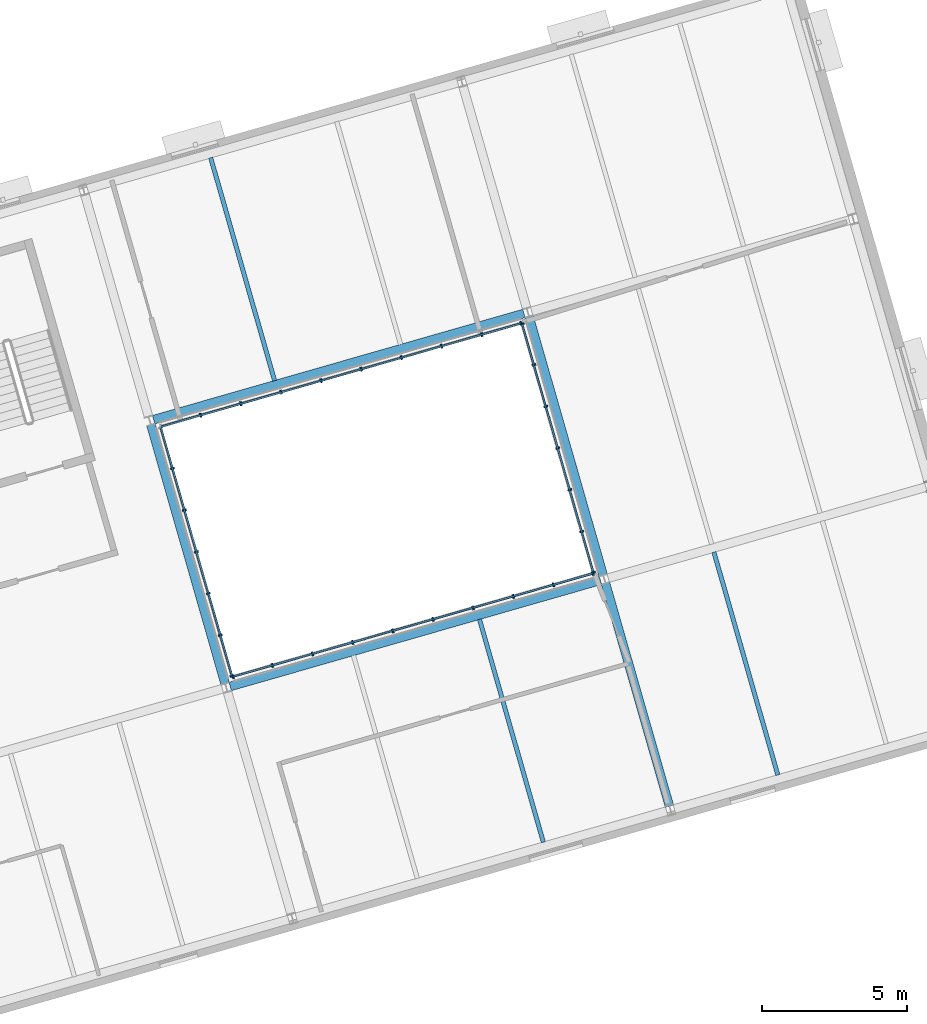
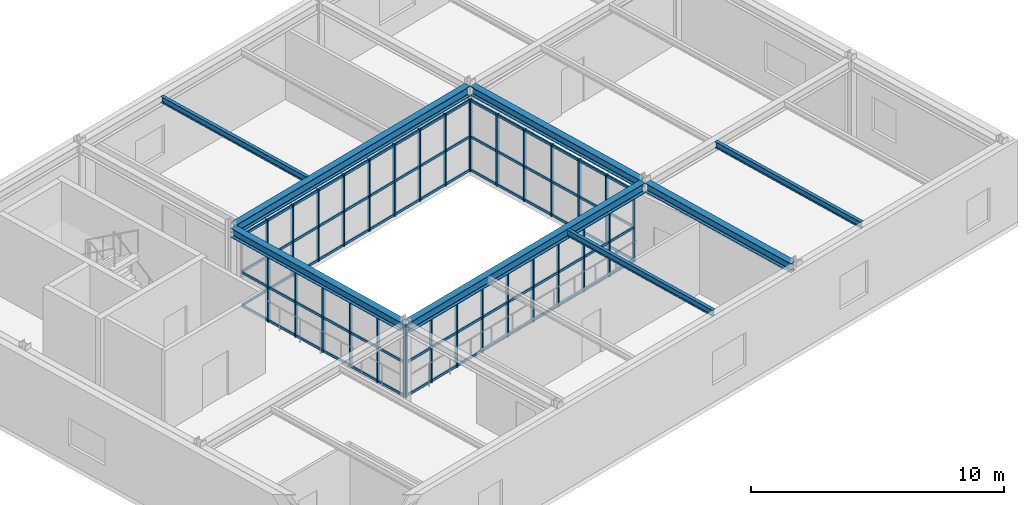
# One storey, part 25 of 59: 44 members, 8 beams, 4 elements without a shape of their own.
"""IFC4 building model written with IfcOpenShell, lengths in metres."""

from ifc_helpers import new_model, si_unit, direction, frame, origin, origin_2d, place, context, subcontext, project, spatial, rectangle, i_section, extrude, material, material_profile, profile_set, type_object, element, aggregate, save


model = new_model("IFC4")

# Units and contexts
model_context = context("Model", 3, precision=1e-05, world=origin(), true_north=direction((0.0, 1.0)))
body_context = subcontext(model_context, "Body", "Model", "MODEL_VIEW")
ifc_project = project(units=[si_unit("LENGTHUNIT", "METRE"), si_unit("AREAUNIT", "SQUARE_METRE"), si_unit("VOLUMEUNIT", "CUBIC_METRE"), si_unit("PLANEANGLEUNIT", "RADIAN"), si_unit("MASSUNIT", "GRAM", prefix="KILO")], contexts=[model_context])

# Site, building, storey
site_placement = place(None, origin())
site = spatial("IfcSite", under=ifc_project, at=site_placement, CompositionType="ELEMENT")
building_placement = place(site_placement, origin())
building = spatial("IfcBuilding", under=site, at=building_placement, Name="Varnklinge Art Gallery", CompositionType="ELEMENT")
storey_placement = place(building_placement, frame((0.0, 0.0, 9.52001953125)))
storey = spatial("IfcBuildingStorey", under=building, at=storey_placement, Name="L02", CompositionType="ELEMENT", Elevation=9.52001953125)

# Beams
ifc_material_1 = material(Name="Steel S355", Category="steel")
ifc_material_profile_1 = material_profile(ifc_material_1, i_section(OverallWidth=0.300048828125, OverallDepth=0.489990234375, WebThickness=0.011962890625, FlangeThickness=0.02294921875, FilletRadius=0.027099609375, at=origin_2d()), Name="HEA 500")
ifc_profile_set_1 = profile_set([ifc_material_profile_1], Name="Steel S355")
beam_type_1 = type_object("IfcBeamType", Name="BM-07", PredefinedType="BEAM", material=ifc_profile_set_1)
for number, where, z_axis, x_axis, name in (
    (1, (133.921142578125, 21.05029296875, 3.675048828125), (0.961263452766, 0.275631228958, 0.0), (-0.275631228958, 0.961263452766, 0.0), "L02 BM-07 BM-V6-L03-U1-1"),
    (2, (131.27490234375, 30.2783203125, 3.675048828125), (0.961263452766, 0.275631228958, 0.0), (-0.275631228958, 0.961263452766, 0.0), "L02 BM-07 BM-V6-L03-U2-1"),
):
    element("IfcBeam", number, at=place(storey_placement, frame(where, z_axis=z_axis, x_axis=x_axis)), inside=storey, type_object=beam_type_1, Name=name, PredefinedType="BEAM", context=body_context, shape_type="SweptSolid", body=[
        extrude(i_section(OverallWidth=0.300048828125, OverallDepth=0.489990234375, WebThickness=0.011962890625, FlangeThickness=0.02294921875, FilletRadius=0.027099609375, at=origin_2d()), origin(), (0.0, 0.0, 1.0), 13.31982421875),
    ])
ifc_material_2 = material(Name="Steel S355", Category="steel")
ifc_material_profile_2 = material_profile(ifc_material_2, i_section(OverallWidth=0.300048828125, OverallDepth=0.43994140625, WebThickness=0.011474609375, FlangeThickness=0.02099609375, FilletRadius=0.027099609375, at=origin_2d()), Name="HEA 450")
ifc_profile_set_2 = profile_set([ifc_material_profile_2], Name="Steel S355")
beam_type_2 = type_object("IfcBeamType", Name="BM-08", PredefinedType="BEAM", material=ifc_profile_set_2)
beam_1_placement = place(storey_placement, frame((133.747802734375, 21.146240234375, 3.699951171875), z_axis=(-0.275634404399, 0.961262542239, 0.0), x_axis=(-0.961262542239, -0.275634404399, 0.0)))
element("IfcBeam", 3, at=beam_1_placement, inside=storey, type_object=beam_type_2, Name="L02 BM-08 BM-V6-L03-V1-1", PredefinedType="BEAM", context=body_context, shape_type="SweptSolid", body=[
    extrude(i_section(OverallWidth=0.300048828125, OverallDepth=0.43994140625, WebThickness=0.011474609375, FlangeThickness=0.02099609375, FilletRadius=0.027099609375, at=origin_2d()), origin(), (0.0, 0.0, 1.0), 9.31982421875),
])
beam_2_placement = place(storey_placement, frame((149.10888671875, 16.91650390625, 3.699951171875), z_axis=(-0.275649759333, 0.961258139201, 0.0), x_axis=(-0.961258139201, -0.275649759333, 0.0)))
element("IfcBeam", 4, at=beam_2_placement, inside=storey, type_object=beam_type_2, Name="L02 BM-08 BM-V6-L03-V2-0", PredefinedType="BEAM", context=body_context, shape_type="SweptSolid", body=[
    extrude(i_section(OverallWidth=0.300048828125, OverallDepth=0.43994140625, WebThickness=0.011474609375, FlangeThickness=0.02099609375, FilletRadius=0.027099609375, at=origin_2d()), origin(), (0.0, 0.0, 1.0), 8.02001953125),
])
beam_3_placement = place(storey_placement, frame((146.821044921875, 24.89501953125, 3.699951171875), z_axis=(-0.275634404399, 0.961262542239, 0.0), x_axis=(-0.961262542239, -0.275634404399, 0.0)))
element("IfcBeam", 5, at=beam_3_placement, inside=storey, type_object=beam_type_2, Name="L02 BM-08 BM-V6-L03-V2-1", PredefinedType="BEAM", context=body_context, shape_type="SweptSolid", body=[
    extrude(i_section(OverallWidth=0.300048828125, OverallDepth=0.43994140625, WebThickness=0.011474609375, FlangeThickness=0.02099609375, FilletRadius=0.027099609375, at=origin_2d()), origin(), (0.0, 0.0, 1.0), 9.31982421875),
])
ifc_material_3 = material(Name="Steel S355", Category="steel")
ifc_material_profile_3 = material_profile(ifc_material_3, i_section(OverallWidth=0.14990234375, OverallDepth=0.300048828125, WebThickness=0.007080078125, FlangeThickness=0.0107421875, FilletRadius=0.014892578125, at=origin_2d()), Name="IPE 300")
ifc_profile_set_3 = profile_set([ifc_material_profile_3], Name="Steel S355")
beam_type_3 = type_object("IfcBeamType", Name="JST-08", PredefinedType="JOIST", material=ifc_profile_set_3)
for number, where, z_axis, x_axis, name in (
    (6, (144.751220703125, 15.666748046875, 3.77001953125), (-0.2756416934, 0.961260452146, 0.0), (-0.961260452146, -0.2756416934, 0.0), "L02 JST-08 JST-V6-L03-1-0-2"),
    (7, (135.45947265625, 31.623779296875, 3.77001953125), (-0.2756416934, 0.961260452146, 0.0), (-0.961260452146, -0.2756416934, 0.0), "L02 JST-08 JST-V6-L03-1-2-1"),
):
    element("IfcBeam", number, at=place(storey_placement, frame(where, z_axis=z_axis, x_axis=x_axis)), inside=storey, type_object=beam_type_3, Name=name, PredefinedType="JOIST", context=body_context, shape_type="SweptSolid", body=[
        extrude(i_section(OverallWidth=0.14990234375, OverallDepth=0.300048828125, WebThickness=0.007080078125, FlangeThickness=0.0107421875, FilletRadius=0.014892578125, at=origin_2d()), origin(), (0.0, 0.0, 1.0), 8.020263671875),
    ])
beam_4_placement = place(storey_placement, frame((152.857666015625, 17.991455078125, 3.77001953125), z_axis=(-0.275621630307, 0.961266205016, 0.0), x_axis=(-0.961266205016, -0.275621630307, 0.0)))
element("IfcBeam", 8, at=beam_4_placement, inside=storey, type_object=beam_type_3, Name="L02 JST-08 JST-V6-L03-2-0-1", PredefinedType="JOIST", context=body_context, shape_type="SweptSolid", body=[
    extrude(i_section(OverallWidth=0.14990234375, OverallDepth=0.300048828125, WebThickness=0.007080078125, FlangeThickness=0.0107421875, FilletRadius=0.014892578125, at=origin_2d()), origin(), (0.0, 0.0, 1.0), 8.019775390625),
])

# Curtain wall, members
ifc_material_4 = material(Name="Anodised Aluminium", Category="aluminium")
curtain_wall_type = type_object("IfcCurtainWallType", Name="CW-C03", PredefinedType="USERDEFINED", material=ifc_material_4)
curtain_wall_1_placement = place(storey_placement, origin())
curtain_wall_1 = element("IfcCurtainWall", 9, at=curtain_wall_1_placement, inside=storey, type_object=curtain_wall_type, Name="L02 Curtain Wall CW-V6C-L02-1", ObjectType="UNITISED CURTAIN WALL", PredefinedType="USERDEFINED")
ifc_material_5 = material(Name="Anodised Aluminium", Category="aluminium")
ifc_material_profile_4 = material_profile(ifc_material_5, rectangle(XDim=0.06005859375, YDim=0.139892578125, at=origin_2d()), Name="ALU 60x140")
ifc_profile_set_4 = profile_set([ifc_material_profile_4], Name="Anodised Aluminium")
member_type_1 = type_object("IfcMemberType", Name="MUL-03", PredefinedType="MULLION", material=ifc_profile_set_4)
member_1_placement = place(storey_placement, frame((146.459716796875, 24.957763671875, 0.0), z_axis=(0.0, 0.0, 1.0), x_axis=(-0.961261695938, -0.275637355817, 0.0)))
member_1 = element("IfcMember", 10, at=member_1_placement, type_object=member_type_1, Name="CW-V6C-L02-1 Mullion 1", PredefinedType="MULLION", context=body_context, shape_type="SweptSolid", body=[
    extrude(rectangle(XDim=0.06005859375, YDim=0.139892578125, at=origin_2d()), origin(), (0.0, 0.0, 1.0), 3.469970703125),
])
member_2_placement = place(storey_placement, frame((145.10009765625, 24.56787109375, 0.0), z_axis=(0.0, 0.0, 1.0), x_axis=(-0.961261695938, -0.275637355817, 0.0)))
member_2 = element("IfcMember", 11, at=member_2_placement, type_object=member_type_1, Name="CW-V6C-L02-1 Mullion 2", PredefinedType="MULLION", context=body_context, shape_type="SweptSolid", body=[
    extrude(rectangle(XDim=0.06005859375, YDim=0.139892578125, at=origin_2d()), origin(), (0.0, 0.0, 1.0), 3.469970703125),
])
member_3_placement = place(storey_placement, frame((143.711669921875, 24.169677734375, 0.0), z_axis=(0.0, 0.0, 1.0), x_axis=(-0.961261695938, -0.275637355817, 0.0)))
member_3 = element("IfcMember", 12, at=member_3_placement, type_object=member_type_1, Name="CW-V6C-L02-1 Mullion 3", PredefinedType="MULLION", context=body_context, shape_type="SweptSolid", body=[
    extrude(rectangle(XDim=0.06005859375, YDim=0.139892578125, at=origin_2d()), origin(), (0.0, 0.0, 1.0), 3.469970703125),
])
member_4_placement = place(storey_placement, frame((142.322998046875, 23.771484375, 0.0), z_axis=(0.0, 0.0, 1.0), x_axis=(-0.961261695938, -0.275637355817, 0.0)))
member_4 = element("IfcMember", 13, at=member_4_placement, type_object=member_type_1, Name="CW-V6C-L02-1 Mullion 4", PredefinedType="MULLION", context=body_context, shape_type="SweptSolid", body=[
    extrude(rectangle(XDim=0.06005859375, YDim=0.139892578125, at=origin_2d()), origin(), (0.0, 0.0, 1.0), 3.469970703125),
])
member_5_placement = place(storey_placement, frame((140.9345703125, 23.373291015625, 0.0), z_axis=(0.0, 0.0, 1.0), x_axis=(-0.961261695938, -0.275637355817, 0.0)))
member_5 = element("IfcMember", 14, at=member_5_placement, type_object=member_type_1, Name="CW-V6C-L02-1 Mullion 5", PredefinedType="MULLION", context=body_context, shape_type="SweptSolid", body=[
    extrude(rectangle(XDim=0.06005859375, YDim=0.139892578125, at=origin_2d()), origin(), (0.0, 0.0, 1.0), 3.469970703125),
])
member_6_placement = place(storey_placement, frame((139.546142578125, 22.975341796875, 0.0), z_axis=(0.0, 0.0, 1.0), x_axis=(-0.961261695938, -0.275637355817, 0.0)))
member_6 = element("IfcMember", 15, at=member_6_placement, type_object=member_type_1, Name="CW-V6C-L02-1 Mullion 6", PredefinedType="MULLION", context=body_context, shape_type="SweptSolid", body=[
    extrude(rectangle(XDim=0.06005859375, YDim=0.139892578125, at=origin_2d()), origin(), (0.0, 0.0, 1.0), 3.469970703125),
])
member_7_placement = place(storey_placement, frame((138.15771484375, 22.5771484375, 0.0), z_axis=(0.0, 0.0, 1.0), x_axis=(-0.961261695938, -0.275637355817, 0.0)))
member_7 = element("IfcMember", 16, at=member_7_placement, type_object=member_type_1, Name="CW-V6C-L02-1 Mullion 7", PredefinedType="MULLION", context=body_context, shape_type="SweptSolid", body=[
    extrude(rectangle(XDim=0.06005859375, YDim=0.139892578125, at=origin_2d()), origin(), (0.0, 0.0, 1.0), 3.469970703125),
])
member_8_placement = place(storey_placement, frame((136.769287109375, 22.178955078125, 0.0), z_axis=(0.0, 0.0, 1.0), x_axis=(-0.961261695938, -0.275637355817, 0.0)))
member_8 = element("IfcMember", 17, at=member_8_placement, type_object=member_type_1, Name="CW-V6C-L02-1 Mullion 8", PredefinedType="MULLION", context=body_context, shape_type="SweptSolid", body=[
    extrude(rectangle(XDim=0.06005859375, YDim=0.139892578125, at=origin_2d()), origin(), (0.0, 0.0, 1.0), 3.469970703125),
])
member_9_placement = place(storey_placement, frame((135.380615234375, 21.78076171875, 0.0), z_axis=(0.0, 0.0, 1.0), x_axis=(-0.961261695938, -0.275637355817, 0.0)))
member_9 = element("IfcMember", 18, at=member_9_placement, type_object=member_type_1, Name="CW-V6C-L02-1 Mullion 9", PredefinedType="MULLION", context=body_context, shape_type="SweptSolid", body=[
    extrude(rectangle(XDim=0.06005859375, YDim=0.139892578125, at=origin_2d()), origin(), (0.0, 0.0, 1.0), 3.469970703125),
])
member_10_placement = place(storey_placement, frame((134.02099609375, 21.39111328125, 0.0), z_axis=(0.0, 0.0, 1.0), x_axis=(-0.961261695938, -0.275637355817, 0.0)))
member_10 = element("IfcMember", 19, at=member_10_placement, type_object=member_type_1, Name="CW-V6C-L02-1 Mullion 10", PredefinedType="MULLION", context=body_context, shape_type="SweptSolid", body=[
    extrude(rectangle(XDim=0.06005859375, YDim=0.139892578125, at=origin_2d()), origin(), (0.0, 0.0, 1.0), 3.469970703125),
])

curtain_wall_2_placement = place(storey_placement, origin())
curtain_wall_2 = element("IfcCurtainWall", 20, at=curtain_wall_2_placement, inside=storey, type_object=curtain_wall_type, Name="L02 Curtain Wall CW-V6C-L02-2", ObjectType="UNITISED CURTAIN WALL", PredefinedType="USERDEFINED")
member_11_placement = place(storey_placement, frame((144.01611328125, 33.58837890625, 0.0), z_axis=(0.0, 0.0, 1.0), x_axis=(0.275637355817, -0.961261695938, 0.0)))
member_11 = element("IfcMember", 21, at=member_11_placement, type_object=member_type_1, Name="CW-V6C-L02-2 Mullion 1", PredefinedType="MULLION", context=body_context, shape_type="SweptSolid", body=[
    extrude(rectangle(XDim=0.06005859375, YDim=0.139892578125, at=origin_2d()), origin(), (0.0, 0.0, 1.0), 3.469970703125),
])
member_12_placement = place(storey_placement, frame((144.42138671875, 32.17529296875, 0.0), z_axis=(0.0, 0.0, 1.0), x_axis=(0.275637355817, -0.961261695938, 0.0)))
member_12 = element("IfcMember", 22, at=member_12_placement, type_object=member_type_1, Name="CW-V6C-L02-2 Mullion 2", PredefinedType="MULLION", context=body_context, shape_type="SweptSolid", body=[
    extrude(rectangle(XDim=0.06005859375, YDim=0.139892578125, at=origin_2d()), origin(), (0.0, 0.0, 1.0), 3.469970703125),
])
member_13_placement = place(storey_placement, frame((144.834716796875, 30.7333984375, 0.0), z_axis=(0.0, 0.0, 1.0), x_axis=(0.275637355817, -0.961261695938, 0.0)))
member_13 = element("IfcMember", 23, at=member_13_placement, type_object=member_type_1, Name="CW-V6C-L02-2 Mullion 3", PredefinedType="MULLION", context=body_context, shape_type="SweptSolid", body=[
    extrude(rectangle(XDim=0.06005859375, YDim=0.139892578125, at=origin_2d()), origin(), (0.0, 0.0, 1.0), 3.469970703125),
])
member_14_placement = place(storey_placement, frame((145.248291015625, 29.291748046875, 0.0), z_axis=(0.0, 0.0, 1.0), x_axis=(0.275637355817, -0.961261695938, 0.0)))
member_14 = element("IfcMember", 24, at=member_14_placement, type_object=member_type_1, Name="CW-V6C-L02-2 Mullion 4", PredefinedType="MULLION", context=body_context, shape_type="SweptSolid", body=[
    extrude(rectangle(XDim=0.06005859375, YDim=0.139892578125, at=origin_2d()), origin(), (0.0, 0.0, 1.0), 3.469970703125),
])
member_15_placement = place(storey_placement, frame((145.66162109375, 27.849853515625, 0.0), z_axis=(0.0, 0.0, 1.0), x_axis=(0.275637355817, -0.961261695938, 0.0)))
member_15 = element("IfcMember", 25, at=member_15_placement, type_object=member_type_1, Name="CW-V6C-L02-2 Mullion 5", PredefinedType="MULLION", context=body_context, shape_type="SweptSolid", body=[
    extrude(rectangle(XDim=0.06005859375, YDim=0.139892578125, at=origin_2d()), origin(), (0.0, 0.0, 1.0), 3.469970703125),
])
member_16_placement = place(storey_placement, frame((146.0751953125, 26.407958984375, 0.0), z_axis=(0.0, 0.0, 1.0), x_axis=(0.275637355817, -0.961261695938, 0.0)))
member_16 = element("IfcMember", 26, at=member_16_placement, type_object=member_type_1, Name="CW-V6C-L02-2 Mullion 6", PredefinedType="MULLION", context=body_context, shape_type="SweptSolid", body=[
    extrude(rectangle(XDim=0.06005859375, YDim=0.139892578125, at=origin_2d()), origin(), (0.0, 0.0, 1.0), 3.469970703125),
])
member_17_placement = place(storey_placement, frame((146.480224609375, 24.994873046875, 0.0), z_axis=(0.0, 0.0, 1.0), x_axis=(0.275637355817, -0.961261695938, 0.0)))
member_17 = element("IfcMember", 27, at=member_17_placement, type_object=member_type_1, Name="CW-V6C-L02-2 Mullion 7", PredefinedType="MULLION", context=body_context, shape_type="SweptSolid", body=[
    extrude(rectangle(XDim=0.06005859375, YDim=0.139892578125, at=origin_2d()), origin(), (0.0, 0.0, 1.0), 3.469970703125),
])

curtain_wall_3_placement = place(storey_placement, origin())
curtain_wall_3 = element("IfcCurtainWall", 28, at=curtain_wall_3_placement, inside=storey, type_object=curtain_wall_type, Name="L02 Curtain Wall CW-V6C-L02-3", ObjectType="UNITISED CURTAIN WALL", PredefinedType="USERDEFINED")
member_18_placement = place(storey_placement, frame((132.89990234375, 30.43212890625, 0.0), z_axis=(0.0, 0.0, 1.0), x_axis=(0.961261695938, 0.275637355817, 0.0)))
member_18 = element("IfcMember", 29, at=member_18_placement, type_object=member_type_1, Name="CW-V6C-L02-3 Mullion 2", PredefinedType="MULLION", context=body_context, shape_type="SweptSolid", body=[
    extrude(rectangle(XDim=0.06005859375, YDim=0.139892578125, at=origin_2d()), origin(), (0.0, 0.0, 1.0), 3.469970703125),
])
member_19_placement = place(storey_placement, frame((134.288330078125, 30.830322265625, 0.0), z_axis=(0.0, 0.0, 1.0), x_axis=(0.961261695938, 0.275637355817, 0.0)))
member_19 = element("IfcMember", 30, at=member_19_placement, type_object=member_type_1, Name="CW-V6C-L02-3 Mullion 3", PredefinedType="MULLION", context=body_context, shape_type="SweptSolid", body=[
    extrude(rectangle(XDim=0.06005859375, YDim=0.139892578125, at=origin_2d()), origin(), (0.0, 0.0, 1.0), 3.469970703125),
])
member_20_placement = place(storey_placement, frame((135.677001953125, 31.228515625, 0.0), z_axis=(0.0, 0.0, 1.0), x_axis=(0.961261695938, 0.275637355817, 0.0)))
member_20 = element("IfcMember", 31, at=member_20_placement, type_object=member_type_1, Name="CW-V6C-L02-3 Mullion 4", PredefinedType="MULLION", context=body_context, shape_type="SweptSolid", body=[
    extrude(rectangle(XDim=0.06005859375, YDim=0.139892578125, at=origin_2d()), origin(), (0.0, 0.0, 1.0), 3.469970703125),
])
member_21_placement = place(storey_placement, frame((137.0654296875, 31.626708984375, 0.0), z_axis=(0.0, 0.0, 1.0), x_axis=(0.961261695938, 0.275637355817, 0.0)))
member_21 = element("IfcMember", 32, at=member_21_placement, type_object=member_type_1, Name="CW-V6C-L02-3 Mullion 5", PredefinedType="MULLION", context=body_context, shape_type="SweptSolid", body=[
    extrude(rectangle(XDim=0.06005859375, YDim=0.139892578125, at=origin_2d()), origin(), (0.0, 0.0, 1.0), 3.469970703125),
])
member_22_placement = place(storey_placement, frame((138.453857421875, 32.024658203125, 0.0), z_axis=(0.0, 0.0, 1.0), x_axis=(0.961261695938, 0.275637355817, 0.0)))
member_22 = element("IfcMember", 33, at=member_22_placement, type_object=member_type_1, Name="CW-V6C-L02-3 Mullion 6", PredefinedType="MULLION", context=body_context, shape_type="SweptSolid", body=[
    extrude(rectangle(XDim=0.06005859375, YDim=0.139892578125, at=origin_2d()), origin(), (0.0, 0.0, 1.0), 3.469970703125),
])
member_23_placement = place(storey_placement, frame((139.84228515625, 32.4228515625, 0.0), z_axis=(0.0, 0.0, 1.0), x_axis=(0.961261695938, 0.275637355817, 0.0)))
member_23 = element("IfcMember", 34, at=member_23_placement, type_object=member_type_1, Name="CW-V6C-L02-3 Mullion 7", PredefinedType="MULLION", context=body_context, shape_type="SweptSolid", body=[
    extrude(rectangle(XDim=0.06005859375, YDim=0.139892578125, at=origin_2d()), origin(), (0.0, 0.0, 1.0), 3.469970703125),
])
member_24_placement = place(storey_placement, frame((141.230712890625, 32.821044921875, 0.0), z_axis=(0.0, 0.0, 1.0), x_axis=(0.961261695938, 0.275637355817, 0.0)))
member_24 = element("IfcMember", 35, at=member_24_placement, type_object=member_type_1, Name="CW-V6C-L02-3 Mullion 8", PredefinedType="MULLION", context=body_context, shape_type="SweptSolid", body=[
    extrude(rectangle(XDim=0.06005859375, YDim=0.139892578125, at=origin_2d()), origin(), (0.0, 0.0, 1.0), 3.469970703125),
])
member_25_placement = place(storey_placement, frame((142.619384765625, 33.21923828125, 0.0), z_axis=(0.0, 0.0, 1.0), x_axis=(0.961261695938, 0.275637355817, 0.0)))
member_25 = element("IfcMember", 36, at=member_25_placement, type_object=member_type_1, Name="CW-V6C-L02-3 Mullion 9", PredefinedType="MULLION", context=body_context, shape_type="SweptSolid", body=[
    extrude(rectangle(XDim=0.06005859375, YDim=0.139892578125, at=origin_2d()), origin(), (0.0, 0.0, 1.0), 3.469970703125),
])
member_26_placement = place(storey_placement, frame((143.97900390625, 33.60888671875, 0.0), z_axis=(0.0, 0.0, 1.0), x_axis=(0.961261695938, 0.275637355817, 0.0)))
member_26 = element("IfcMember", 37, at=member_26_placement, type_object=member_type_1, Name="CW-V6C-L02-3 Mullion 10", PredefinedType="MULLION", context=body_context, shape_type="SweptSolid", body=[
    extrude(rectangle(XDim=0.06005859375, YDim=0.139892578125, at=origin_2d()), origin(), (0.0, 0.0, 1.0), 3.469970703125),
])

curtain_wall_4_placement = place(storey_placement, origin())
curtain_wall_4 = element("IfcCurtainWall", 38, at=curtain_wall_4_placement, inside=storey, type_object=curtain_wall_type, Name="L02 Curtain Wall CW-V6C-L02-4", ObjectType="UNITISED CURTAIN WALL", PredefinedType="USERDEFINED")
member_27_placement = place(storey_placement, frame((133.98388671875, 21.41162109375, 0.0), z_axis=(0.0, 0.0, 1.0), x_axis=(-0.275637355817, 0.961261695938, 0.0)))
member_27 = element("IfcMember", 39, at=member_27_placement, type_object=member_type_1, Name="CW-V6C-L02-4 Mullion 1", PredefinedType="MULLION", context=body_context, shape_type="SweptSolid", body=[
    extrude(rectangle(XDim=0.06005859375, YDim=0.139892578125, at=origin_2d()), origin(), (0.0, 0.0, 1.0), 3.469970703125),
])
member_28_placement = place(storey_placement, frame((133.57861328125, 22.82470703125, 0.0), z_axis=(0.0, 0.0, 1.0), x_axis=(-0.275637355817, 0.961261695938, 0.0)))
member_28 = element("IfcMember", 40, at=member_28_placement, type_object=member_type_1, Name="CW-V6C-L02-4 Mullion 2", PredefinedType="MULLION", context=body_context, shape_type="SweptSolid", body=[
    extrude(rectangle(XDim=0.06005859375, YDim=0.139892578125, at=origin_2d()), origin(), (0.0, 0.0, 1.0), 3.469970703125),
])
member_29_placement = place(storey_placement, frame((133.165283203125, 24.2666015625, 0.0), z_axis=(0.0, 0.0, 1.0), x_axis=(-0.275637355817, 0.961261695938, 0.0)))
member_29 = element("IfcMember", 41, at=member_29_placement, type_object=member_type_1, Name="CW-V6C-L02-4 Mullion 3", PredefinedType="MULLION", context=body_context, shape_type="SweptSolid", body=[
    extrude(rectangle(XDim=0.06005859375, YDim=0.139892578125, at=origin_2d()), origin(), (0.0, 0.0, 1.0), 3.469970703125),
])
member_30_placement = place(storey_placement, frame((132.751708984375, 25.708251953125, 0.0), z_axis=(0.0, 0.0, 1.0), x_axis=(-0.275637355817, 0.961261695938, 0.0)))
member_30 = element("IfcMember", 42, at=member_30_placement, type_object=member_type_1, Name="CW-V6C-L02-4 Mullion 4", PredefinedType="MULLION", context=body_context, shape_type="SweptSolid", body=[
    extrude(rectangle(XDim=0.06005859375, YDim=0.139892578125, at=origin_2d()), origin(), (0.0, 0.0, 1.0), 3.469970703125),
])
member_31_placement = place(storey_placement, frame((132.33837890625, 27.150146484375, 0.0), z_axis=(0.0, 0.0, 1.0), x_axis=(-0.275637355817, 0.961261695938, 0.0)))
member_31 = element("IfcMember", 43, at=member_31_placement, type_object=member_type_1, Name="CW-V6C-L02-4 Mullion 5", PredefinedType="MULLION", context=body_context, shape_type="SweptSolid", body=[
    extrude(rectangle(XDim=0.06005859375, YDim=0.139892578125, at=origin_2d()), origin(), (0.0, 0.0, 1.0), 3.469970703125),
])
member_32_placement = place(storey_placement, frame((131.9248046875, 28.592041015625, 0.0), z_axis=(0.0, 0.0, 1.0), x_axis=(-0.275637355817, 0.961261695938, 0.0)))
member_32 = element("IfcMember", 44, at=member_32_placement, type_object=member_type_1, Name="CW-V6C-L02-4 Mullion 6", PredefinedType="MULLION", context=body_context, shape_type="SweptSolid", body=[
    extrude(rectangle(XDim=0.06005859375, YDim=0.139892578125, at=origin_2d()), origin(), (0.0, 0.0, 1.0), 3.469970703125),
])

# Member
ifc_material_6 = material(Name="Anodised Aluminium", Category="aluminium")
ifc_material_profile_5 = material_profile(ifc_material_6, rectangle(XDim=0.06005859375, YDim=0.1201171875, at=origin_2d()), Name="ALU 60x120")
ifc_profile_set_5 = profile_set([ifc_material_profile_5], Name="Anodised Aluminium")
member_type_2 = type_object("IfcMemberType", Name="TRN-02", PredefinedType="USERDEFINED", material=ifc_profile_set_5)
member_33_placement = place(storey_placement, frame((146.459716796875, 24.957763671875, 0.06005859375), z_axis=(-0.961263648834, -0.275630545169, 0.0), x_axis=(0.275630545169, -0.961263648834, 0.0)))
member_33 = element("IfcMember", 45, at=member_33_placement, type_object=member_type_2, Name="CW-V6C-L02-1 Transom 1", ObjectType="TRANSOM", PredefinedType="USERDEFINED", context=body_context, shape_type="SweptSolid", body=[
    extrude(rectangle(XDim=0.06005859375, YDim=0.1201171875, at=origin_2d()), origin(), (0.0, 0.0, 1.0), 12.93994140625),
])

member_34_placement = place(storey_placement, frame((146.459716796875, 24.957763671875, 1.66552734375), z_axis=(-0.961263648834, -0.275630545169, 0.0), x_axis=(0.275630545169, -0.961263648834, 0.0)))
member_34 = element("IfcMember", 46, at=member_34_placement, type_object=member_type_2, Name="CW-V6C-L02-1 Transom 2", ObjectType="TRANSOM", PredefinedType="USERDEFINED", context=body_context, shape_type="SweptSolid", body=[
    extrude(rectangle(XDim=0.06005859375, YDim=0.1201171875, at=origin_2d()), origin(), (0.0, 0.0, 1.0), 12.93994140625),
])

member_35_placement = place(storey_placement, frame((146.459716796875, 24.957763671875, 3.409912109375), z_axis=(-0.961263648834, -0.275630545169, 0.0), x_axis=(0.275630545169, -0.961263648834, 0.0)))
member_35 = element("IfcMember", 47, at=member_35_placement, type_object=member_type_2, Name="CW-V6C-L02-1 Transom 3", ObjectType="TRANSOM", PredefinedType="USERDEFINED", context=body_context, shape_type="SweptSolid", body=[
    extrude(rectangle(XDim=0.06005859375, YDim=0.1201171875, at=origin_2d()), origin(), (0.0, 0.0, 1.0), 12.93994140625),
])

aggregate(curtain_wall_1, [member_1, member_2, member_3, member_4, member_5, member_6, member_7, member_8, member_9, member_10, member_33, member_34, member_35])

member_36_placement = place(storey_placement, frame((144.01611328125, 33.58837890625, 0.06005859375), z_axis=(0.275633549608, -0.961262787343, 0.0), x_axis=(0.961262787343, 0.275633549608, 0.0)))
member_36 = element("IfcMember", 48, at=member_36_placement, type_object=member_type_2, Name="CW-V6C-L02-2 Transom 1", ObjectType="TRANSOM", PredefinedType="USERDEFINED", context=body_context, shape_type="SweptSolid", body=[
    extrude(rectangle(XDim=0.06005859375, YDim=0.1201171875, at=origin_2d()), origin(), (0.0, 0.0, 1.0), 8.939697265625),
])

member_37_placement = place(storey_placement, frame((144.01611328125, 33.58837890625, 1.66552734375), z_axis=(0.275633549608, -0.961262787343, 0.0), x_axis=(0.961262787343, 0.275633549608, 0.0)))
member_37 = element("IfcMember", 49, at=member_37_placement, type_object=member_type_2, Name="CW-V6C-L02-2 Transom 2", ObjectType="TRANSOM", PredefinedType="USERDEFINED", context=body_context, shape_type="SweptSolid", body=[
    extrude(rectangle(XDim=0.06005859375, YDim=0.1201171875, at=origin_2d()), origin(), (0.0, 0.0, 1.0), 8.939697265625),
])

member_38_placement = place(storey_placement, frame((144.01611328125, 33.58837890625, 3.409912109375), z_axis=(0.275633549608, -0.961262787343, 0.0), x_axis=(0.961262787343, 0.275633549608, 0.0)))
member_38 = element("IfcMember", 50, at=member_38_placement, type_object=member_type_2, Name="CW-V6C-L02-2 Transom 3", ObjectType="TRANSOM", PredefinedType="USERDEFINED", context=body_context, shape_type="SweptSolid", body=[
    extrude(rectangle(XDim=0.06005859375, YDim=0.1201171875, at=origin_2d()), origin(), (0.0, 0.0, 1.0), 8.939697265625),
])

aggregate(curtain_wall_2, [member_11, member_12, member_13, member_14, member_15, member_16, member_17, member_36, member_37, member_38])

member_39_placement = place(storey_placement, frame((131.540283203125, 30.042236328125, 0.06005859375), z_axis=(0.961263648834, 0.275630545169, 0.0), x_axis=(-0.275630545169, 0.961263648834, 0.0)))
member_39 = element("IfcMember", 51, at=member_39_placement, type_object=member_type_2, Name="CW-V6C-L02-3 Transom 1", ObjectType="TRANSOM", PredefinedType="USERDEFINED", context=body_context, shape_type="SweptSolid", body=[
    extrude(rectangle(XDim=0.06005859375, YDim=0.1201171875, at=origin_2d()), origin(), (0.0, 0.0, 1.0), 12.93994140625),
])

member_40_placement = place(storey_placement, frame((131.540283203125, 30.042236328125, 1.66552734375), z_axis=(0.961263648834, 0.275630545169, 0.0), x_axis=(-0.275630545169, 0.961263648834, 0.0)))
member_40 = element("IfcMember", 52, at=member_40_placement, type_object=member_type_2, Name="CW-V6C-L02-3 Transom 2", ObjectType="TRANSOM", PredefinedType="USERDEFINED", context=body_context, shape_type="SweptSolid", body=[
    extrude(rectangle(XDim=0.06005859375, YDim=0.1201171875, at=origin_2d()), origin(), (0.0, 0.0, 1.0), 12.93994140625),
])

member_41_placement = place(storey_placement, frame((131.540283203125, 30.042236328125, 3.409912109375), z_axis=(0.961263648834, 0.275630545169, 0.0), x_axis=(-0.275630545169, 0.961263648834, 0.0)))
member_41 = element("IfcMember", 53, at=member_41_placement, type_object=member_type_2, Name="CW-V6C-L02-3 Transom 3", ObjectType="TRANSOM", PredefinedType="USERDEFINED", context=body_context, shape_type="SweptSolid", body=[
    extrude(rectangle(XDim=0.06005859375, YDim=0.1201171875, at=origin_2d()), origin(), (0.0, 0.0, 1.0), 12.93994140625),
])

aggregate(curtain_wall_3, [member_18, member_19, member_20, member_21, member_22, member_23, member_24, member_25, member_26, member_39, member_40, member_41])

member_42_placement = place(storey_placement, frame((133.98388671875, 21.41162109375, 0.06005859375), z_axis=(-0.275633549608, 0.961262787343, 0.0), x_axis=(-0.961262787343, -0.275633549608, 0.0)))
member_42 = element("IfcMember", 54, at=member_42_placement, type_object=member_type_2, Name="CW-V6C-L02-4 Transom 1", ObjectType="TRANSOM", PredefinedType="USERDEFINED", context=body_context, shape_type="SweptSolid", body=[
    extrude(rectangle(XDim=0.06005859375, YDim=0.1201171875, at=origin_2d()), origin(), (0.0, 0.0, 1.0), 8.939697265625),
])

member_43_placement = place(storey_placement, frame((133.98388671875, 21.41162109375, 1.66552734375), z_axis=(-0.275633549608, 0.961262787343, 0.0), x_axis=(-0.961262787343, -0.275633549608, 0.0)))
member_43 = element("IfcMember", 55, at=member_43_placement, type_object=member_type_2, Name="CW-V6C-L02-4 Transom 2", ObjectType="TRANSOM", PredefinedType="USERDEFINED", context=body_context, shape_type="SweptSolid", body=[
    extrude(rectangle(XDim=0.06005859375, YDim=0.1201171875, at=origin_2d()), origin(), (0.0, 0.0, 1.0), 8.939697265625),
])

member_44_placement = place(storey_placement, frame((133.98388671875, 21.41162109375, 3.409912109375), z_axis=(-0.275633549608, 0.961262787343, 0.0), x_axis=(-0.961262787343, -0.275633549608, 0.0)))
member_44 = element("IfcMember", 56, at=member_44_placement, type_object=member_type_2, Name="CW-V6C-L02-4 Transom 3", ObjectType="TRANSOM", PredefinedType="USERDEFINED", context=body_context, shape_type="SweptSolid", body=[
    extrude(rectangle(XDim=0.06005859375, YDim=0.1201171875, at=origin_2d()), origin(), (0.0, 0.0, 1.0), 8.939697265625),
])

aggregate(curtain_wall_4, [member_27, member_28, member_29, member_30, member_31, member_32, member_42, member_43, member_44])

save(model, "model.ifc")
